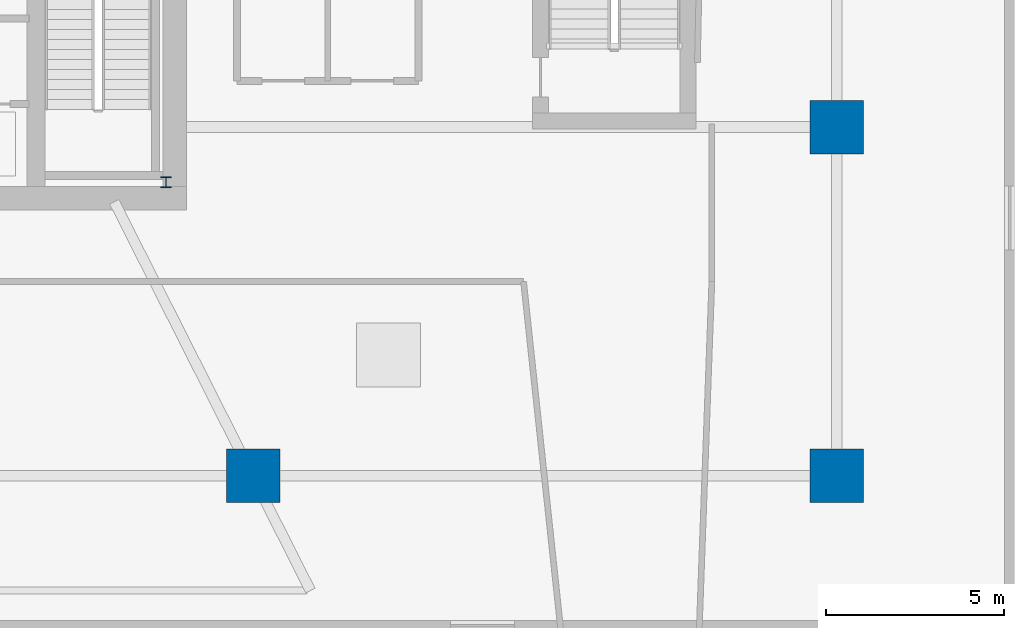
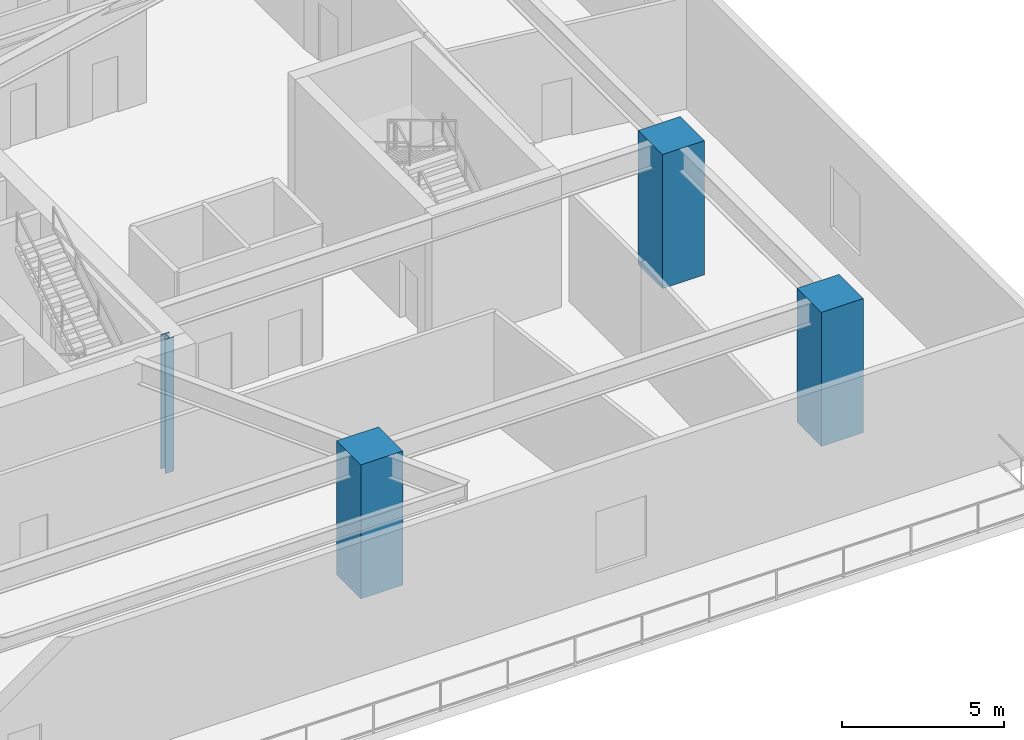
# One storey, part 2 of 11: 4 columns.
"""IFC4 building model written with IfcOpenShell, lengths in metres."""

import ifcopenshell
import ifcopenshell.guid

model = None  # the IFC model being written
_history = None  # IfcOwnerHistory: only IFC2X3 demands one
_inside = {}  # id of a spatial element -> (the spatial element, [elements in it])
_under = {}  # id of a project, library or spatial element -> (it, [spatial elements below it])
_declared = {}  # id of a project -> (the project, [libraries it declares])
_typed = {}  # id of a type object -> (the type object, [elements of that type])
_made_of = {}  # id of a material, layer set ... -> (it, [elements and type objects made of it])


def new_model(schema):
    """Start an empty IFC model of exactly this schema.

    Asked for "IFC4X3", IfcOpenShell would pick the latest addendum, in which some entities
    have other attributes; the version numbers below select the first issue.
    IFC2X3 requires an IfcOwnerHistory on every rooted entity: one is made here for all.
    """
    global model, _history
    if schema == "IFC4X3":
        model = ifcopenshell.file(schema_version=(4, 3, 0, 0))
    else:
        model = ifcopenshell.file(schema=schema)
    _inside.clear()
    _under.clear()
    _declared.clear()
    _typed.clear()
    _made_of.clear()
    _history = None
    if model.schema == "IFC2X3":
        org = make("IfcOrganization", Name="unknown")
        user = make(
            "IfcPersonAndOrganization",
            ThePerson=make("IfcPerson", FamilyName="unknown"),
            TheOrganization=org,
        )
        app = make(
            "IfcApplication",
            ApplicationDeveloper=org,
            Version="unknown",
            ApplicationFullName="unknown",
            ApplicationIdentifier="unknown",
        )
        _history = make(
            "IfcOwnerHistory",
            OwningUser=user,
            OwningApplication=app,
            ChangeAction="ADDED",
            CreationDate=0,
        )
    return model


def make(cls, **values):
    """One entity of the class cls with the attributes given. An attribute that is None is left unset."""
    return model.create_entity(
        cls, **{name: value for name, value in values.items() if value is not None}
    )


def rooted(cls, **values):
    """An entity with a GlobalId (a new one), such as an element, a storey or a relation."""
    return make(cls, GlobalId=ifcopenshell.guid.new(), OwnerHistory=_history, **values)


def si_unit(unit_type, name, prefix=None):
    """IfcSIUnit, for example si_unit("LENGTHUNIT", "METRE", prefix="MILLI")."""
    return make("IfcSIUnit", UnitType=unit_type, Prefix=prefix, Name=name)


def assignment(units):
    """IfcUnitAssignment: the units of a project."""
    return None if units is None else make("IfcUnitAssignment", Units=units)


def point(xyz):
    """IfcCartesianPoint."""
    return None if xyz is None else make("IfcCartesianPoint", Coordinates=xyz)


def direction(xyz):
    """IfcDirection."""
    return None if xyz is None else make("IfcDirection", DirectionRatios=xyz)


def frame(location, z_axis=None, x_axis=None):
    """IfcAxis2Placement3D, a coordinate frame: its origin and axes. An axis left out is left unset."""
    return make(
        "IfcAxis2Placement3D",
        Location=point(location),
        Axis=direction(z_axis),
        RefDirection=direction(x_axis),
    )


def frame_2d(location, x_axis=None):
    """IfcAxis2Placement2D, a coordinate frame in the plane: its origin and x axis."""
    return make(
        "IfcAxis2Placement2D", Location=point(location), RefDirection=direction(x_axis)
    )


def origin():
    """The frame at (0, 0, 0) with its axes left unset."""
    return frame((0.0, 0.0, 0.0))


def origin_2d():
    """The frame at (0, 0) in the plane with its x axis left unset."""
    return frame_2d((0.0, 0.0))


def place(relative_to, where):
    """IfcLocalPlacement: puts the frame where relative to a parent placement (None: the world)."""
    return make(
        "IfcLocalPlacement", PlacementRelTo=relative_to, RelativePlacement=where
    )


def context(
    kind, dimensions, precision=None, world=None, true_north=None, identifier=None
):
    """IfcGeometricRepresentationContext, for example the 3D "Model" context."""
    return make(
        "IfcGeometricRepresentationContext",
        ContextIdentifier=identifier,
        ContextType=kind,
        CoordinateSpaceDimension=dimensions,
        Precision=precision,
        WorldCoordinateSystem=world,
        TrueNorth=true_north,
    )


def subcontext(parent, identifier, kind, view, scale=None):
    """IfcGeometricRepresentationSubContext, for example "Body" below "Model"."""
    return make(
        "IfcGeometricRepresentationSubContext",
        ContextIdentifier=identifier,
        ContextType=kind,
        ParentContext=parent,
        TargetScale=scale,
        TargetView=view,
    )


def project(units=None, contexts=None):
    """IfcProject with its units and contexts."""
    return rooted(
        "IfcProject",
        Name="project",
        RepresentationContexts=contexts,
        UnitsInContext=assignment(units),
    )


def spatial(cls, under=None, at=None, **own):
    """A site, building, storey or space (cls), placed at a placement, below another one or the project."""
    s = rooted(cls, ObjectPlacement=at, **own)
    if under is not None:
        _under.setdefault(under.id(), (under, []))[1].append(s)
    return s


def profile(cls, at=None, kind="AREA", **sizes):
    """A parametric profile (cls). Its sizes go by their IFC names, for example OverallWidth=200.0."""
    return make(cls, ProfileType=kind, Position=at, **sizes)


def rectangle(**sizes):
    """IfcRectangleProfileDef."""
    return profile("IfcRectangleProfileDef", **sizes)


def i_section(**sizes):
    """IfcIShapeProfileDef."""
    return profile("IfcIShapeProfileDef", **sizes)


def extrude(swept, where, along, depth):
    """IfcExtrudedAreaSolid: the profile swept, set in the frame where, extruded along a direction by depth."""
    return make(
        "IfcExtrudedAreaSolid",
        SweptArea=swept,
        Position=where,
        ExtrudedDirection=direction(along),
        Depth=depth,
    )


def shape(context_of_items, identifier, shape_type, items):
    """IfcShapeRepresentation: the items that make up one representation, for example the "Body"."""
    return make(
        "IfcShapeRepresentation",
        ContextOfItems=context_of_items,
        RepresentationIdentifier=identifier,
        RepresentationType=shape_type,
        Items=items,
    )


def material(Name=None, Category=None):
    """IfcMaterial."""
    return make("IfcMaterial", Name=Name, Category=Category)


def material_profile(
    of_material, cross_section, Name=None, Category=None, Priority=None
):
    """IfcMaterialProfile: a cross section and its material."""
    return make(
        "IfcMaterialProfile",
        Name=Name,
        Material=of_material,
        Profile=cross_section,
        Priority=Priority,
        Category=Category,
    )


def profile_set(profiles, Name=None, composite=None):
    """IfcMaterialProfileSet."""
    return make(
        "IfcMaterialProfileSet",
        Name=Name,
        MaterialProfiles=profiles,
        CompositeProfile=composite,
    )


def made_of(thing, what):
    """Note that an element or type object is made of a material, layer set ...; save() writes the relation."""
    if what is not None:
        _made_of.setdefault(what.id(), (what, []))[1].append(thing)
    return thing


def type_object(cls, material=None, **own):
    """A type object (cls), such as IfcWallType, which elements share."""
    return made_of(rooted(cls, **own), material)


def element(
    cls,
    number,
    at=None,
    inside=None,
    cuts=None,
    type_object=None,
    material=None,
    context=None,
    identifier="Body",
    shape_type=None,
    held_by="IfcProductDefinitionShape",
    body=None,
    shapes=None,
    **own,
):
    """One element of the class cls, such as IfcWall. Its Tag is "e" and its number.

    at: its placement. inside: the storey or other place that contains it. cuts: it is an
    opening in that element (IfcRelVoidsElement). A single representation is given by context,
    identifier, shape_type and body (its items); several are given by shapes. held_by: the class
    of the entity that holds the representations. save() writes the other relations.
    """
    e = rooted(cls, Tag="e%d" % number, ObjectPlacement=at, **own)
    if body is not None:
        shapes = [shape(context, identifier, shape_type, body)]
    if shapes is not None:
        e.Representation = make(held_by, Representations=shapes)
    if inside is not None:
        _inside.setdefault(inside.id(), (inside, []))[1].append(e)
    if cuts is not None:
        rooted(
            "IfcRelVoidsElement", RelatingBuildingElement=cuts, RelatedOpeningElement=e
        )
    if type_object is not None:
        _typed.setdefault(type_object.id(), (type_object, []))[1].append(e)
    return made_of(e, material)


def aggregate(whole, parts):
    """IfcRelAggregates: a whole, such as a stair, and the parts it consists of."""
    return rooted("IfcRelAggregates", RelatingObject=whole, RelatedObjects=parts)


def save(model, path):
    """Write the relations noted so far, then the file.

    IfcRelAggregates (storeys below a building ...), IfcRelContainedInSpatialStructure (elements
    in a storey), IfcRelDefinesByType, IfcRelAssociatesMaterial and IfcRelDeclares: one each for
    every whole, place, type object, material and project.
    """
    for whole, parts in _under.values():
        aggregate(whole, parts)
    for where, things in _inside.values():
        rooted(
            "IfcRelContainedInSpatialStructure",
            RelatedElements=things,
            RelatingStructure=where,
        )
    for kind, things in _typed.values():
        rooted("IfcRelDefinesByType", RelatedObjects=things, RelatingType=kind)
    for what, things in _made_of.values():
        rooted("IfcRelAssociatesMaterial", RelatedObjects=things, RelatingMaterial=what)
    for by, libraries in _declared.values():
        rooted("IfcRelDeclares", RelatingContext=by, RelatedDefinitions=libraries)
    model.write(path)


model = new_model("IFC4")

# Units and contexts
model_context = context("Model", 3, precision=1e-05, world=origin(), true_north=direction((0.0, 1.0)))
body_context = subcontext(model_context, "Body", "Model", "MODEL_VIEW")
ifc_project = project(units=[si_unit("LENGTHUNIT", "METRE"), si_unit("AREAUNIT", "SQUARE_METRE"), si_unit("VOLUMEUNIT", "CUBIC_METRE"), si_unit("PLANEANGLEUNIT", "RADIAN"), si_unit("MASSUNIT", "GRAM", prefix="KILO")], contexts=[model_context])

# Site, building, storey
site_placement = place(None, origin())
site = spatial("IfcSite", under=ifc_project, at=site_placement, CompositionType="ELEMENT")
building_placement = place(site_placement, origin())
building = spatial("IfcBuilding", under=site, at=building_placement, Name="Qarnah Convention Tower", CompositionType="ELEMENT")
storey_placement = place(building_placement, frame((0.0, 0.0, 10.800048828125)))
storey = spatial("IfcBuildingStorey", under=building, at=storey_placement, Name="L02", CompositionType="ELEMENT", Elevation=10.800048828125)

# Columns
ifc_material_1 = material(Name="Concrete C60/75", Category="concrete")
ifc_material_profile_1 = material_profile(ifc_material_1, rectangle(XDim=1.5, YDim=1.5, at=origin_2d()), Name="RC-COL-1500X1500")
ifc_profile_set_1 = profile_set([ifc_material_profile_1], Name="Concrete C60/75")
column_type_1 = type_object("IfcColumnType", Name="COL-MC1500", PredefinedType="COLUMN", material=ifc_profile_set_1)
for number, where, z_axis, x_axis, name in (
    (1, (49.800048828125, 10.800048828125, 0.0), (0.0, 0.0, 1.0), (1.0, 0.0, 0.0), "L02 plumb column MC-03"),
    (2, (66.199951171875, 10.800048828125, 0.0), (0.0, 0.0, 1.0), (1.0, 0.0, 0.0), "L02 plumb column MC-04"),
    (3, (66.199951171875, 20.60009765625, 0.0), (0.0, 0.0, 1.0), (1.0, 0.0, 0.0), "L02 plumb column MC-05"),
):
    element("IfcColumn", number, at=place(storey_placement, frame(where, z_axis=z_axis, x_axis=x_axis)), inside=storey, type_object=column_type_1, Name=name, PredefinedType="COLUMN", context=body_context, shape_type="SweptSolid", body=[
        extrude(rectangle(XDim=1.5, YDim=1.5, at=origin_2d()), origin(), (0.0, 0.0, 1.0), 5.050048828125),
    ])
ifc_material_2 = material(Name="Structural steel S355JR", Category="steel")
ifc_material_profile_2 = material_profile(ifc_material_2, i_section(OverallWidth=0.300048828125, OverallDepth=0.300048828125, WebThickness=0.010986328125, FlangeThickness=0.01904296875, at=origin_2d()), Name="HEB300")
ifc_profile_set_2 = profile_set([ifc_material_profile_2], Name="Structural steel S355JR")
column_type_2 = type_object("IfcColumnType", Name="PIL-SHF-300", PredefinedType="PILASTER", material=ifc_profile_set_2)
column_placement = place(storey_placement, frame((47.35009765625, 19.050048828125, 0.0), z_axis=(0.0, 0.0, 1.0), x_axis=(1.0, 0.0, 0.0)))
element("IfcColumn", 4, at=column_placement, inside=storey, type_object=column_type_2, Name="L02 core spine steel pilaster 2", PredefinedType="PILASTER", context=body_context, shape_type="SweptSolid", body=[
    extrude(i_section(OverallWidth=0.300048828125, OverallDepth=0.300048828125, WebThickness=0.010986328125, FlangeThickness=0.01904296875, at=origin_2d()), origin(), (0.0, 0.0, 1.0), 5.050048828125),
])

save(model, "model.ifc")
